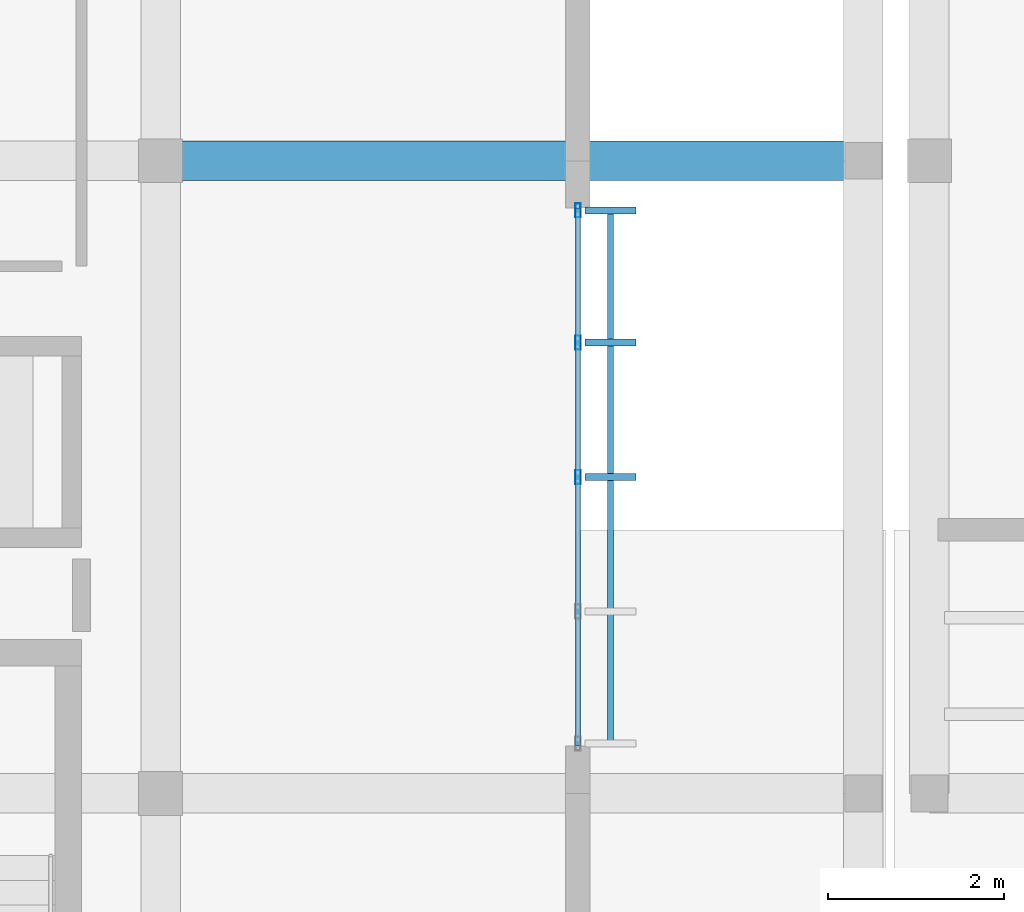
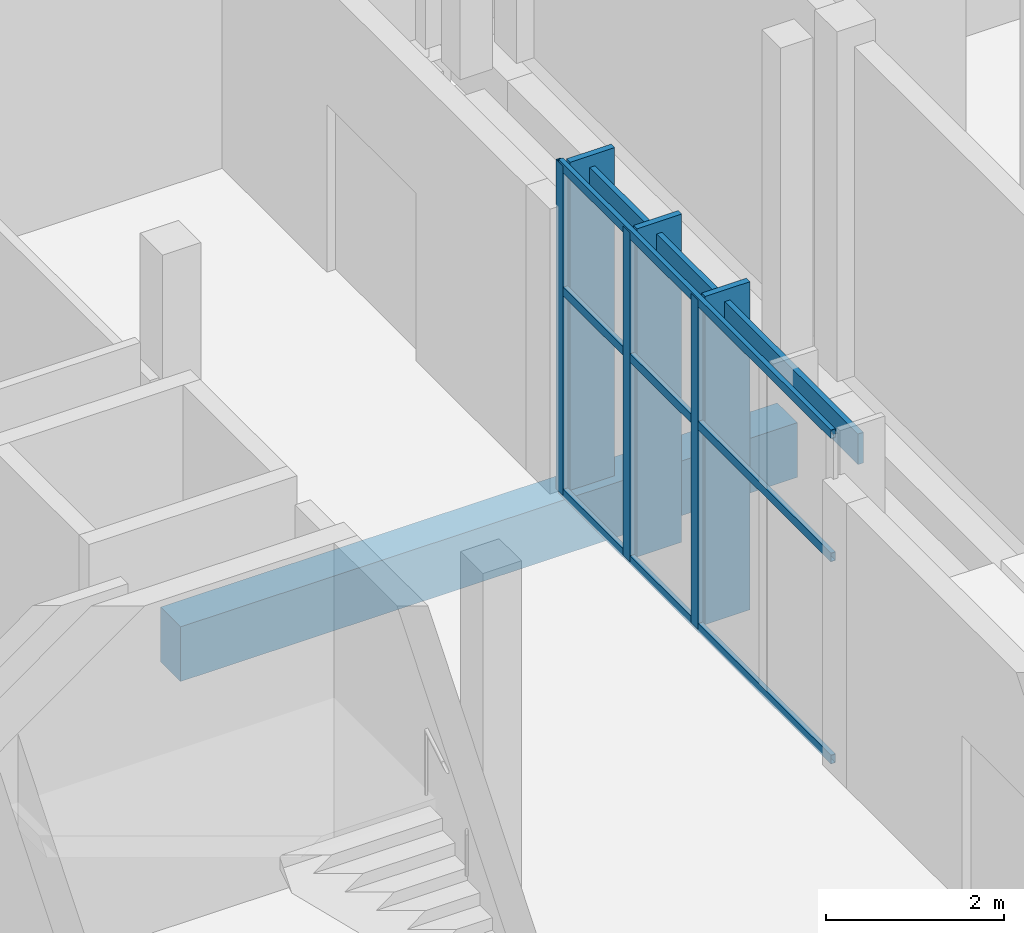
# One storey, part 21 of 151: 10 members, 1 beam, 1 element without a shape of its own.
"""IFC4 building model written with IfcOpenShell, lengths in metres."""

import ifcopenshell
import ifcopenshell.guid

model = None  # the IFC model being written
_history = None  # IfcOwnerHistory: only IFC2X3 demands one
_inside = {}  # id of a spatial element -> (the spatial element, [elements in it])
_under = {}  # id of a project, library or spatial element -> (it, [spatial elements below it])
_declared = {}  # id of a project -> (the project, [libraries it declares])
_typed = {}  # id of a type object -> (the type object, [elements of that type])
_made_of = {}  # id of a material, layer set ... -> (it, [elements and type objects made of it])


def new_model(schema):
    """Start an empty IFC model of exactly this schema.

    Asked for "IFC4X3", IfcOpenShell would pick the latest addendum, in which some entities
    have other attributes; the version numbers below select the first issue.
    IFC2X3 requires an IfcOwnerHistory on every rooted entity: one is made here for all.
    """
    global model, _history
    if schema == "IFC4X3":
        model = ifcopenshell.file(schema_version=(4, 3, 0, 0))
    else:
        model = ifcopenshell.file(schema=schema)
    _inside.clear()
    _under.clear()
    _declared.clear()
    _typed.clear()
    _made_of.clear()
    _history = None
    if model.schema == "IFC2X3":
        org = make("IfcOrganization", Name="unknown")
        user = make(
            "IfcPersonAndOrganization",
            ThePerson=make("IfcPerson", FamilyName="unknown"),
            TheOrganization=org,
        )
        app = make(
            "IfcApplication",
            ApplicationDeveloper=org,
            Version="unknown",
            ApplicationFullName="unknown",
            ApplicationIdentifier="unknown",
        )
        _history = make(
            "IfcOwnerHistory",
            OwningUser=user,
            OwningApplication=app,
            ChangeAction="ADDED",
            CreationDate=0,
        )
    return model


def make(cls, **values):
    """One entity of the class cls with the attributes given. An attribute that is None is left unset."""
    return model.create_entity(
        cls, **{name: value for name, value in values.items() if value is not None}
    )


def rooted(cls, **values):
    """An entity with a GlobalId (a new one), such as an element, a storey or a relation."""
    return make(cls, GlobalId=ifcopenshell.guid.new(), OwnerHistory=_history, **values)


def si_unit(unit_type, name, prefix=None):
    """IfcSIUnit, for example si_unit("LENGTHUNIT", "METRE", prefix="MILLI")."""
    return make("IfcSIUnit", UnitType=unit_type, Prefix=prefix, Name=name)


def assignment(units):
    """IfcUnitAssignment: the units of a project."""
    return None if units is None else make("IfcUnitAssignment", Units=units)


def point(xyz):
    """IfcCartesianPoint."""
    return None if xyz is None else make("IfcCartesianPoint", Coordinates=xyz)


def direction(xyz):
    """IfcDirection."""
    return None if xyz is None else make("IfcDirection", DirectionRatios=xyz)


def frame(location, z_axis=None, x_axis=None):
    """IfcAxis2Placement3D, a coordinate frame: its origin and axes. An axis left out is left unset."""
    return make(
        "IfcAxis2Placement3D",
        Location=point(location),
        Axis=direction(z_axis),
        RefDirection=direction(x_axis),
    )


def frame_2d(location, x_axis=None):
    """IfcAxis2Placement2D, a coordinate frame in the plane: its origin and x axis."""
    return make(
        "IfcAxis2Placement2D", Location=point(location), RefDirection=direction(x_axis)
    )


def origin():
    """The frame at (0, 0, 0) with its axes left unset."""
    return frame((0.0, 0.0, 0.0))


def origin_2d():
    """The frame at (0, 0) in the plane with its x axis left unset."""
    return frame_2d((0.0, 0.0))


def place(relative_to, where):
    """IfcLocalPlacement: puts the frame where relative to a parent placement (None: the world)."""
    return make(
        "IfcLocalPlacement", PlacementRelTo=relative_to, RelativePlacement=where
    )


def context(
    kind, dimensions, precision=None, world=None, true_north=None, identifier=None
):
    """IfcGeometricRepresentationContext, for example the 3D "Model" context."""
    return make(
        "IfcGeometricRepresentationContext",
        ContextIdentifier=identifier,
        ContextType=kind,
        CoordinateSpaceDimension=dimensions,
        Precision=precision,
        WorldCoordinateSystem=world,
        TrueNorth=true_north,
    )


def subcontext(parent, identifier, kind, view, scale=None):
    """IfcGeometricRepresentationSubContext, for example "Body" below "Model"."""
    return make(
        "IfcGeometricRepresentationSubContext",
        ContextIdentifier=identifier,
        ContextType=kind,
        ParentContext=parent,
        TargetScale=scale,
        TargetView=view,
    )


def project(units=None, contexts=None):
    """IfcProject with its units and contexts."""
    return rooted(
        "IfcProject",
        Name="project",
        RepresentationContexts=contexts,
        UnitsInContext=assignment(units),
    )


def spatial(cls, under=None, at=None, **own):
    """A site, building, storey or space (cls), placed at a placement, below another one or the project."""
    s = rooted(cls, ObjectPlacement=at, **own)
    if under is not None:
        _under.setdefault(under.id(), (under, []))[1].append(s)
    return s


def profile(cls, at=None, kind="AREA", **sizes):
    """A parametric profile (cls). Its sizes go by their IFC names, for example OverallWidth=200.0."""
    return make(cls, ProfileType=kind, Position=at, **sizes)


def rectangle(**sizes):
    """IfcRectangleProfileDef."""
    return profile("IfcRectangleProfileDef", **sizes)


def hollow_rectangle(**sizes):
    """IfcRectangleHollowProfileDef."""
    return profile("IfcRectangleHollowProfileDef", **sizes)


def extrude(swept, where, along, depth):
    """IfcExtrudedAreaSolid: the profile swept, set in the frame where, extruded along a direction by depth."""
    return make(
        "IfcExtrudedAreaSolid",
        SweptArea=swept,
        Position=where,
        ExtrudedDirection=direction(along),
        Depth=depth,
    )


def shape(context_of_items, identifier, shape_type, items):
    """IfcShapeRepresentation: the items that make up one representation, for example the "Body"."""
    return make(
        "IfcShapeRepresentation",
        ContextOfItems=context_of_items,
        RepresentationIdentifier=identifier,
        RepresentationType=shape_type,
        Items=items,
    )


def material(Name=None, Category=None):
    """IfcMaterial."""
    return make("IfcMaterial", Name=Name, Category=Category)


def material_profile(
    of_material, cross_section, Name=None, Category=None, Priority=None
):
    """IfcMaterialProfile: a cross section and its material."""
    return make(
        "IfcMaterialProfile",
        Name=Name,
        Material=of_material,
        Profile=cross_section,
        Priority=Priority,
        Category=Category,
    )


def profile_set(profiles, Name=None, composite=None):
    """IfcMaterialProfileSet."""
    return make(
        "IfcMaterialProfileSet",
        Name=Name,
        MaterialProfiles=profiles,
        CompositeProfile=composite,
    )


def made_of(thing, what):
    """Note that an element or type object is made of a material, layer set ...; save() writes the relation."""
    if what is not None:
        _made_of.setdefault(what.id(), (what, []))[1].append(thing)
    return thing


def type_object(cls, material=None, **own):
    """A type object (cls), such as IfcWallType, which elements share."""
    return made_of(rooted(cls, **own), material)


def element(
    cls,
    number,
    at=None,
    inside=None,
    cuts=None,
    type_object=None,
    material=None,
    context=None,
    identifier="Body",
    shape_type=None,
    held_by="IfcProductDefinitionShape",
    body=None,
    shapes=None,
    **own,
):
    """One element of the class cls, such as IfcWall. Its Tag is "e" and its number.

    at: its placement. inside: the storey or other place that contains it. cuts: it is an
    opening in that element (IfcRelVoidsElement). A single representation is given by context,
    identifier, shape_type and body (its items); several are given by shapes. held_by: the class
    of the entity that holds the representations. save() writes the other relations.
    """
    e = rooted(cls, Tag="e%d" % number, ObjectPlacement=at, **own)
    if body is not None:
        shapes = [shape(context, identifier, shape_type, body)]
    if shapes is not None:
        e.Representation = make(held_by, Representations=shapes)
    if inside is not None:
        _inside.setdefault(inside.id(), (inside, []))[1].append(e)
    if cuts is not None:
        rooted(
            "IfcRelVoidsElement", RelatingBuildingElement=cuts, RelatedOpeningElement=e
        )
    if type_object is not None:
        _typed.setdefault(type_object.id(), (type_object, []))[1].append(e)
    return made_of(e, material)


def aggregate(whole, parts):
    """IfcRelAggregates: a whole, such as a stair, and the parts it consists of."""
    return rooted("IfcRelAggregates", RelatingObject=whole, RelatedObjects=parts)


def save(model, path):
    """Write the relations noted so far, then the file.

    IfcRelAggregates (storeys below a building ...), IfcRelContainedInSpatialStructure (elements
    in a storey), IfcRelDefinesByType, IfcRelAssociatesMaterial and IfcRelDeclares: one each for
    every whole, place, type object, material and project.
    """
    for whole, parts in _under.values():
        aggregate(whole, parts)
    for where, things in _inside.values():
        rooted(
            "IfcRelContainedInSpatialStructure",
            RelatedElements=things,
            RelatingStructure=where,
        )
    for kind, things in _typed.values():
        rooted("IfcRelDefinesByType", RelatedObjects=things, RelatingType=kind)
    for what, things in _made_of.values():
        rooted("IfcRelAssociatesMaterial", RelatedObjects=things, RelatingMaterial=what)
    for by, libraries in _declared.values():
        rooted("IfcRelDeclares", RelatingContext=by, RelatedDefinitions=libraries)
    model.write(path)


model = new_model("IFC4")

# Units and contexts
model_context = context("Model", 3, precision=1e-05, world=origin(), true_north=direction((0.0, 1.0)))
body_context = subcontext(model_context, "Body", "Model", "MODEL_VIEW")
ifc_project = project(units=[si_unit("LENGTHUNIT", "METRE"), si_unit("AREAUNIT", "SQUARE_METRE"), si_unit("VOLUMEUNIT", "CUBIC_METRE"), si_unit("PLANEANGLEUNIT", "RADIAN"), si_unit("MASSUNIT", "GRAM", prefix="KILO")], contexts=[model_context])

# Site, building, storey
site_placement = place(None, origin())
site = spatial("IfcSite", under=ifc_project, at=site_placement, CompositionType="ELEMENT")
building_placement = place(site_placement, origin())
building = spatial("IfcBuilding", under=site, at=building_placement, Name="Chiffa Square Polytechnic", CompositionType="ELEMENT")
storey_placement = place(building_placement, origin())
storey = spatial("IfcBuildingStorey", under=building, at=storey_placement, Name="L00", CompositionType="ELEMENT", Elevation=0.0)

# Curtain wall, members
ifc_material_1 = material(Name="Aluminium EN AW-6060 T66 and glulam shading", Category="wood")
curtain_wall_type = type_object("IfcCurtainWallType", Name="CW-VERT-540X440", PredefinedType="USERDEFINED", material=ifc_material_1)
curtain_wall_placement = place(storey_placement, origin())
curtain_wall = element("IfcCurtainWall", 1, at=curtain_wall_placement, inside=storey, type_object=curtain_wall_type, Name="Curtain wall CW-V3-L00-151", ObjectType="CURTAIN WALL", PredefinedType="USERDEFINED")
ifc_material_2 = material(Name="Aluminium EN AW-6060 T66", Category="aluminium")
ifc_material_profile_1 = material_profile(ifc_material_2, hollow_rectangle(XDim=0.06005859375, YDim=0.159912109375, WallThickness=0.00390625, at=origin_2d()), Name="ALU 60x160x4")
ifc_profile_set_1 = profile_set([ifc_material_profile_1], Name="Aluminium EN AW-6060 T66")
member_type_1 = type_object("IfcMemberType", Name="CWM-ALU-65X150", PredefinedType="MULLION", material=ifc_profile_set_1)
member_1_placement = place(storey_placement, frame((44.75, 25.199951171875, 0.0), z_axis=(0.0, 0.0, 1.0), x_axis=(1.0, 0.0, 0.0)))
member_1 = element("IfcMember", 2, at=member_1_placement, type_object=member_type_1, Name="Curtain wall mullion CW-V3-L00-151-M02", PredefinedType="MULLION", context=body_context, shape_type="SweptSolid", body=[
    extrude(hollow_rectangle(XDim=0.06005859375, YDim=0.159912109375, WallThickness=0.00390625, at=origin_2d()), origin(), (0.0, 0.0, 1.0), 4.52001953125),
])
member_2_placement = place(storey_placement, frame((44.75, 26.72998046875, 0.0), z_axis=(0.0, 0.0, 1.0), x_axis=(1.0, 0.0, 0.0)))
member_2 = element("IfcMember", 3, at=member_2_placement, type_object=member_type_1, Name="Curtain wall mullion CW-V3-L00-151-M03", PredefinedType="MULLION", context=body_context, shape_type="SweptSolid", body=[
    extrude(hollow_rectangle(XDim=0.06005859375, YDim=0.159912109375, WallThickness=0.00390625, at=origin_2d()), origin(), (0.0, 0.0, 1.0), 4.52001953125),
])
member_3_placement = place(storey_placement, frame((44.75, 28.235107421875, 0.0), z_axis=(0.0, 0.0, 1.0), x_axis=(1.0, 0.0, 0.0)))
member_3 = element("IfcMember", 4, at=member_3_placement, type_object=member_type_1, Name="Curtain wall mullion CW-V3-L00-151-M04", PredefinedType="MULLION", context=body_context, shape_type="SweptSolid", body=[
    extrude(hollow_rectangle(XDim=0.06005859375, YDim=0.159912109375, WallThickness=0.00390625, at=origin_2d()), origin(), (0.0, 0.0, 1.0), 4.52001953125),
])
ifc_material_3 = material(Name="Glulam GL28h", Category="wood")
ifc_material_profile_2 = material_profile(ifc_material_3, rectangle(XDim=0.080078125, YDim=0.580078125, at=origin_2d()), Name="GL28h 80x580")
ifc_profile_set_2 = profile_set([ifc_material_profile_2], Name="Glulam GL28h")
member_type_2 = type_object("IfcMemberType", Name="CWM-GL-80X580", PredefinedType="MULLION", material=ifc_profile_set_2)
member_4_placement = place(storey_placement, frame((45.1220703125, 25.199951171875, 0.010009765625), z_axis=(0.0, 0.0, 1.0), x_axis=(0.0, 1.0, 0.0)))
member_4 = element("IfcMember", 5, at=member_4_placement, type_object=member_type_2, Name="Exterior glulam solar fin CW-V3-L00-151-FN02", PredefinedType="MULLION", context=body_context, shape_type="SweptSolid", body=[
    extrude(rectangle(XDim=0.080078125, YDim=0.580078125, at=origin_2d()), origin(), (0.0, 0.0, 1.0), 4.5),
])
member_5_placement = place(storey_placement, frame((45.1220703125, 26.72998046875, 0.010009765625), z_axis=(0.0, 0.0, 1.0), x_axis=(0.0, 1.0, 0.0)))
member_5 = element("IfcMember", 6, at=member_5_placement, type_object=member_type_2, Name="Exterior glulam solar fin CW-V3-L00-151-FN03", PredefinedType="MULLION", context=body_context, shape_type="SweptSolid", body=[
    extrude(rectangle(XDim=0.080078125, YDim=0.580078125, at=origin_2d()), origin(), (0.0, 0.0, 1.0), 4.5),
])
member_6_placement = place(storey_placement, frame((45.1220703125, 28.235107421875, 0.010009765625), z_axis=(0.0, 0.0, 1.0), x_axis=(0.0, 1.0, 0.0)))
member_6 = element("IfcMember", 7, at=member_6_placement, type_object=member_type_2, Name="Exterior glulam solar fin CW-V3-L00-151-FN04", PredefinedType="MULLION", context=body_context, shape_type="SweptSolid", body=[
    extrude(rectangle(XDim=0.080078125, YDim=0.580078125, at=origin_2d()), origin(), (0.0, 0.0, 1.0), 4.5),
])
ifc_material_profile_3 = material_profile(ifc_material_2, hollow_rectangle(XDim=0.06005859375, YDim=0.1201171875, WallThickness=0.00390625, at=origin_2d()), Name="ALU 60x120x4")
ifc_profile_set_3 = profile_set([ifc_material_profile_3], Name="Aluminium EN AW-6060 T66")
member_type_3 = type_object("IfcMemberType", Name="CWT-ALU-65X120", PredefinedType="USERDEFINED", material=ifc_profile_set_3)
member_7_placement = place(storey_placement, frame((44.75, 22.137939453125, 0.030029296875), z_axis=(0.0, 1.0, 0.0), x_axis=(-1.0, 0.0, 0.0)))
member_7 = element("IfcMember", 8, at=member_7_placement, type_object=member_type_3, Name="Curtain wall transom CW-V3-L00-151-T01", ObjectType="TRANSOM", PredefinedType="USERDEFINED", context=body_context, shape_type="SweptSolid", body=[
    extrude(hollow_rectangle(XDim=0.06005859375, YDim=0.1201171875, WallThickness=0.00390625, at=origin_2d()), origin(), (0.0, 0.0, 1.0), 6.1240234375),
])
member_8_placement = place(storey_placement, frame((44.75, 22.137939453125, 2.802001953125), z_axis=(0.0, 1.0, 0.0), x_axis=(-1.0, 0.0, 0.0)))
member_8 = element("IfcMember", 9, at=member_8_placement, type_object=member_type_3, Name="Curtain wall transom CW-V3-L00-151-T02", ObjectType="TRANSOM", PredefinedType="USERDEFINED", context=body_context, shape_type="SweptSolid", body=[
    extrude(hollow_rectangle(XDim=0.06005859375, YDim=0.1201171875, WallThickness=0.00390625, at=origin_2d()), origin(), (0.0, 0.0, 1.0), 6.1240234375),
])
member_9_placement = place(storey_placement, frame((44.75, 22.137939453125, 4.489990234375), z_axis=(0.0, 1.0, 0.0), x_axis=(-1.0, 0.0, 0.0)))
member_9 = element("IfcMember", 10, at=member_9_placement, type_object=member_type_3, Name="Curtain wall transom CW-V3-L00-151-T03", ObjectType="TRANSOM", PredefinedType="USERDEFINED", context=body_context, shape_type="SweptSolid", body=[
    extrude(hollow_rectangle(XDim=0.06005859375, YDim=0.1201171875, WallThickness=0.00390625, at=origin_2d()), origin(), (0.0, 0.0, 1.0), 6.1240234375),
])
ifc_material_profile_4 = material_profile(ifc_material_3, rectangle(XDim=0.070068359375, YDim=0.419921875, at=origin_2d()), Name="GL28h 70x420")
ifc_profile_set_4 = profile_set([ifc_material_profile_4], Name="Glulam GL28h")
member_type_4 = type_object("IfcMemberType", Name="CWT-GL-70X420", PredefinedType="USERDEFINED", material=ifc_profile_set_4)
member_10_placement = place(storey_placement, frame((45.1220703125, 22.1650390625, 4.139892578125), z_axis=(0.0, 1.0, 0.0), x_axis=(-1.0, 0.0, 0.0)))
member_10 = element("IfcMember", 11, at=member_10_placement, type_object=member_type_4, Name="Exterior glulam brise-soleil CW-V3-L00-151-BS01", ObjectType="TRANSOM", PredefinedType="USERDEFINED", context=body_context, shape_type="SweptSolid", body=[
    extrude(rectangle(XDim=0.070068359375, YDim=0.419921875, at=origin_2d()), origin(), (0.0, 0.0, 1.0), 6.070068359375),
])
aggregate(curtain_wall, [member_1, member_4, member_2, member_5, member_3, member_6, member_7, member_8, member_9, member_10])

# Beam
ifc_material_4 = material(Name="Concrete C35/45", Category="concrete")
ifc_material_profile_5 = material_profile(ifc_material_4, rectangle(XDim=0.449951171875, YDim=0.75, at=origin_2d()), Name="RC 450x750")
ifc_profile_set_5 = profile_set([ifc_material_profile_5], Name="Concrete C35/45")
beam_type = type_object("IfcBeamType", Name="GB-RC-450X750", PredefinedType="BEAM", material=ifc_profile_set_5)
beam_placement = place(storey_placement, frame((40.0, 28.800048828125, -0.77490234375), z_axis=(1.0, 0.0, 0.0), x_axis=(0.0, 1.0, 0.0)))
element("IfcBeam", 12, at=beam_placement, inside=storey, type_object=beam_type, Name="Ground tie beam GB-V3-X-065", PredefinedType="BEAM", context=body_context, shape_type="SweptSolid", body=[
    extrude(rectangle(XDim=0.449951171875, YDim=0.75, at=origin_2d()), origin(), (0.0, 0.0, 1.0), 8.0),
])

save(model, "model.ifc")
